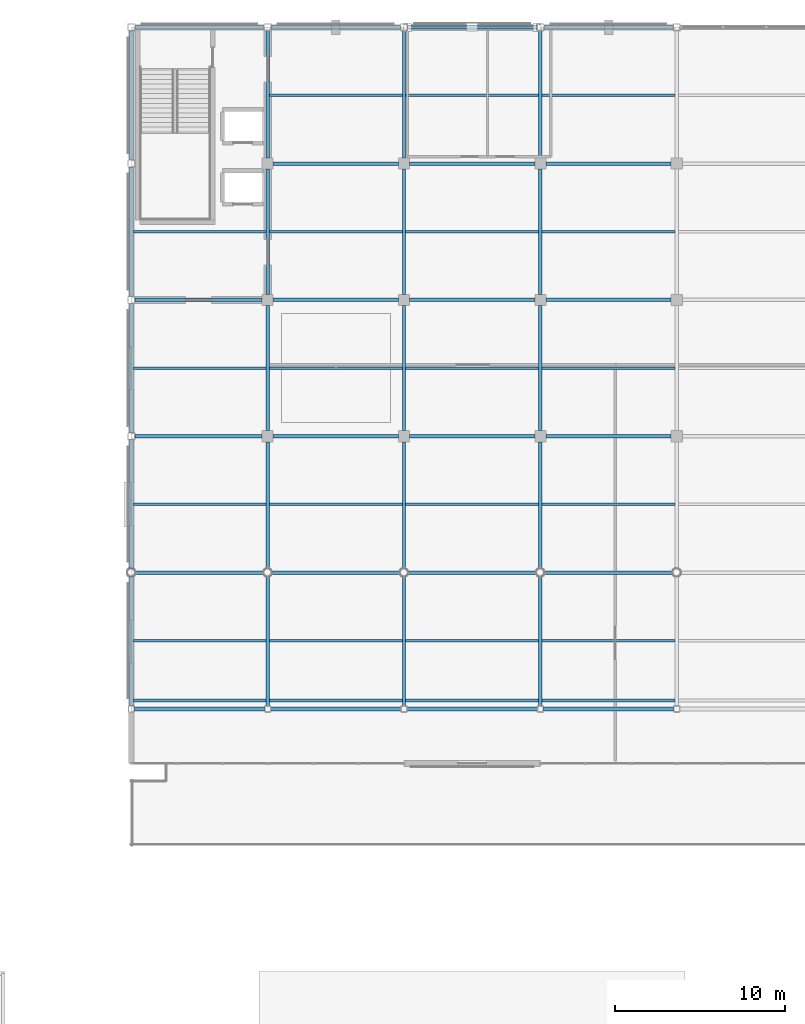
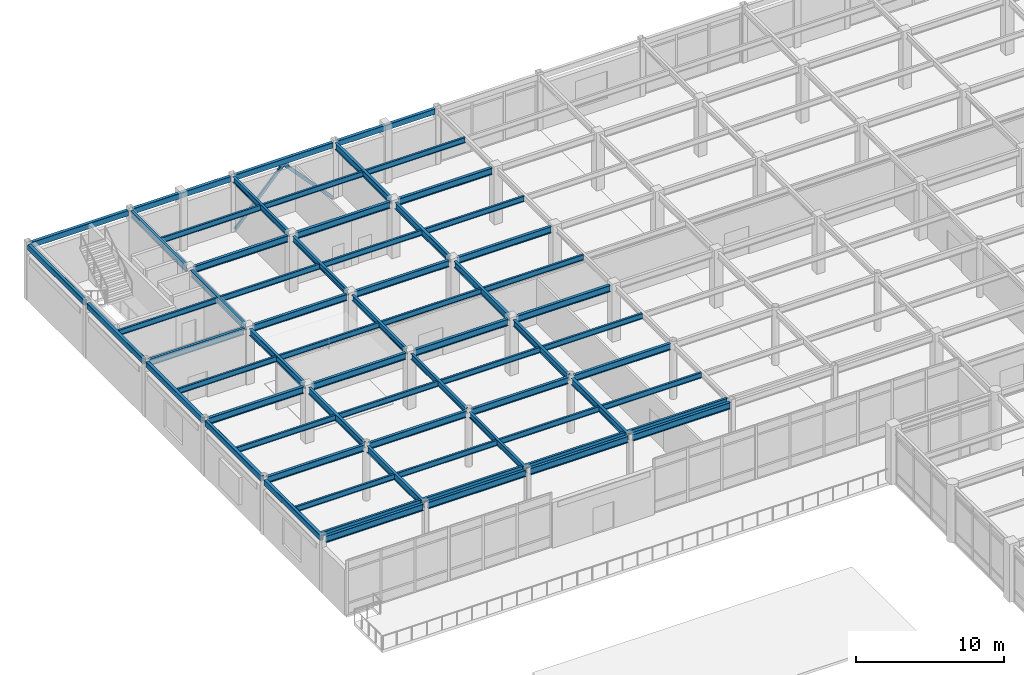
# One storey, part 49 of 117: 66 beams, 2 members.
"""IFC4 building model written with IfcOpenShell, lengths in metres."""

from ifc_helpers import new_model, si_unit, direction, frame, origin, origin_2d, place, context, subcontext, project, spatial, hollow_rectangle, i_section, extrude, material, material_profile, profile_set, type_object, element, save


model = new_model("IFC4")

# Units and contexts
model_context = context("Model", 3, precision=1e-05, world=origin(), true_north=direction((0.0, 1.0)))
body_context = subcontext(model_context, "Body", "Model", "MODEL_VIEW")
ifc_project = project(units=[si_unit("LENGTHUNIT", "METRE"), si_unit("AREAUNIT", "SQUARE_METRE"), si_unit("VOLUMEUNIT", "CUBIC_METRE"), si_unit("PLANEANGLEUNIT", "RADIAN"), si_unit("MASSUNIT", "GRAM", prefix="KILO")], contexts=[model_context])

# Site, building, storey
site_placement = place(None, origin())
site = spatial("IfcSite", under=ifc_project, at=site_placement, CompositionType="ELEMENT")
building_placement = place(site_placement, origin())
building = spatial("IfcBuilding", under=site, at=building_placement, Name="Solmirada Galleria", CompositionType="ELEMENT")
storey_placement = place(building_placement, frame((0.0, 0.0, 5.60009765625)))
storey = spatial("IfcBuildingStorey", under=building, at=storey_placement, Name="L01", CompositionType="ELEMENT", Elevation=5.60009765625)

# Beams
ifc_material_1 = material(Name="Steel S355 / ASTM A992 Grade 50", Category="steel")
ifc_material_profile_1 = material_profile(ifc_material_1, i_section(OverallWidth=0.194091796875, OverallDepth=0.468994140625, WebThickness=0.0126953125, FlangeThickness=0.0205078125, FilletRadius=0.013916015625, at=origin_2d()), Name="W18X71")
ifc_profile_set_1 = profile_set([ifc_material_profile_1], Name="Steel S355 / ASTM A992 Grade 50")
beam_type_1 = type_object("IfcBeamType", Name="BM-GIRD-W18B", PredefinedType="BEAM", material=ifc_profile_set_1)
beam_1_placement = place(storey_placement, frame((56.0, 80.177978515625, 4.325439453125), z_axis=(0.0, 1.0, 0.0), x_axis=(-1.0, 0.0, 0.0)))
element("IfcBeam", 1, at=beam_1_placement, inside=storey, type_object=beam_type_1, Name="Primary girder L02 Y(56, 80..88)", PredefinedType="BEAM", context=body_context, shape_type="SweptSolid", body=[
    extrude(i_section(OverallWidth=0.194091796875, OverallDepth=0.468994140625, WebThickness=0.0126953125, FlangeThickness=0.0205078125, FilletRadius=0.013916015625, at=origin_2d()), origin(), (0.0, 0.0, 1.0), 7.608642578125),
])
beam_2_placement = place(storey_placement, frame((56.0, 88.21337890625, 4.365478515625), z_axis=(0.0, 1.0, 0.0), x_axis=(-1.0, 0.0, 0.0)))
element("IfcBeam", 2, at=beam_2_placement, inside=storey, type_object=beam_type_1, Name="Primary girder L02 Y(56, 88..96)", PredefinedType="BEAM", context=body_context, shape_type="SweptSolid", body=[
    extrude(i_section(OverallWidth=0.194091796875, OverallDepth=0.468994140625, WebThickness=0.0126953125, FlangeThickness=0.0205078125, FilletRadius=0.013916015625, at=origin_2d()), origin(), (0.0, 0.0, 1.0), 7.461669921875),
])
for number, where, z_axis, x_axis, name in (
    (3, (56.0, 96.324951171875, 4.365478515625), (0.0, 1.0, 0.0), (-1.0, 0.0, 0.0), "Primary girder L02 Y(56, 96..104)"),
    (4, (56.0, 104.324951171875, 4.365478515625), (0.0, 1.0, 0.0), (-1.0, 0.0, 0.0), "Primary girder L02 Y(56, 104..112)"),
):
    element("IfcBeam", number, at=place(storey_placement, frame(where, z_axis=z_axis, x_axis=x_axis)), inside=storey, type_object=beam_type_1, Name=name, PredefinedType="BEAM", context=body_context, shape_type="SweptSolid", body=[
        extrude(i_section(OverallWidth=0.194091796875, OverallDepth=0.468994140625, WebThickness=0.0126953125, FlangeThickness=0.0205078125, FilletRadius=0.013916015625, at=origin_2d()), origin(), (0.0, 0.0, 1.0), 7.35009765625),
    ])
beam_3_placement = place(storey_placement, frame((56.0, 112.324951171875, 4.365478515625), z_axis=(0.0, 1.0, 0.0), x_axis=(-1.0, 0.0, 0.0)))
element("IfcBeam", 5, at=beam_3_placement, inside=storey, type_object=beam_type_1, Name="Primary girder L02 Y(56, 112..120)", PredefinedType="BEAM", context=body_context, shape_type="SweptSolid", body=[
    extrude(i_section(OverallWidth=0.194091796875, OverallDepth=0.468994140625, WebThickness=0.0126953125, FlangeThickness=0.0205078125, FilletRadius=0.013916015625, at=origin_2d()), origin(), (0.0, 0.0, 1.0), 7.47216796875),
])
ifc_material_profile_2 = material_profile(ifc_material_1, i_section(OverallWidth=0.214111328125, OverallDepth=0.549072265625, WebThickness=0.0146484375, FlangeThickness=0.023681640625, FilletRadius=0.014892578125, at=origin_2d()), Name="W21X93")
ifc_profile_set_2 = profile_set([ifc_material_profile_2], Name="Steel S355 / ASTM A992 Grade 50")
beam_type_2 = type_object("IfcBeamType", Name="BM-GIRD-W21A", PredefinedType="BEAM", material=ifc_profile_set_2)
beam_4_placement = place(storey_placement, frame((40.177978515625, 80.0, 4.285400390625), z_axis=(1.0, 0.0, 0.0), x_axis=(0.0, 1.0, 0.0)))
element("IfcBeam", 6, at=beam_4_placement, inside=storey, type_object=beam_type_2, Name="Primary beam L02 X(40..48, 80)", PredefinedType="BEAM", context=body_context, shape_type="SweptSolid", body=[
    extrude(i_section(OverallWidth=0.214111328125, OverallDepth=0.549072265625, WebThickness=0.0146484375, FlangeThickness=0.023681640625, FilletRadius=0.014892578125, at=origin_2d()), origin(), (0.0, 0.0, 1.0), 7.64404296875),
])
beam_5_placement = place(storey_placement, frame((40.202880859375, 96.0, 4.325439453125), z_axis=(1.0, 0.0, 0.0), x_axis=(0.0, 1.0, 0.0)))
element("IfcBeam", 7, at=beam_5_placement, inside=storey, type_object=beam_type_2, Name="Primary beam L02 X(40..48, 96)", PredefinedType="BEAM", context=body_context, shape_type="SweptSolid", body=[
    extrude(i_section(OverallWidth=0.214111328125, OverallDepth=0.549072265625, WebThickness=0.0146484375, FlangeThickness=0.023681640625, FilletRadius=0.014892578125, at=origin_2d()), origin(), (0.0, 0.0, 1.0), 7.47216796875),
])
beam_6_placement = place(storey_placement, frame((48.177978515625, 80.0, 4.285400390625), z_axis=(1.0, 0.0, 0.0), x_axis=(0.0, 1.0, 0.0)))
element("IfcBeam", 8, at=beam_6_placement, inside=storey, type_object=beam_type_2, Name="Primary beam L02 X(48..56, 80)", PredefinedType="BEAM", context=body_context, shape_type="SweptSolid", body=[
    extrude(i_section(OverallWidth=0.214111328125, OverallDepth=0.549072265625, WebThickness=0.0146484375, FlangeThickness=0.023681640625, FilletRadius=0.014892578125, at=origin_2d()), origin(), (0.0, 0.0, 1.0), 7.64404296875),
])
for number, where, z_axis, x_axis, name in (
    (9, (48.324951171875, 96.0, 4.325439453125), (1.0, 0.0, 0.0), (0.0, 1.0, 0.0), "Primary beam L02 X(48..56, 96)"),
    (10, (48.324951171875, 112.0, 4.325439453125), (1.0, 0.0, 0.0), (0.0, 1.0, 0.0), "Primary beam L02 X(48..56, 112)"),
):
    element("IfcBeam", number, at=place(storey_placement, frame(where, z_axis=z_axis, x_axis=x_axis)), inside=storey, type_object=beam_type_2, Name=name, PredefinedType="BEAM", context=body_context, shape_type="SweptSolid", body=[
        extrude(i_section(OverallWidth=0.214111328125, OverallDepth=0.549072265625, WebThickness=0.0146484375, FlangeThickness=0.023681640625, FilletRadius=0.014892578125, at=origin_2d()), origin(), (0.0, 0.0, 1.0), 7.35009765625),
    ])
beam_7_placement = place(storey_placement, frame((56.177978515625, 80.0, 4.285400390625), z_axis=(1.0, 0.0, 0.0), x_axis=(0.0, 1.0, 0.0)))
element("IfcBeam", 11, at=beam_7_placement, inside=storey, type_object=beam_type_2, Name="Primary beam L02 X(56..64, 80)", PredefinedType="BEAM", context=body_context, shape_type="SweptSolid", body=[
    extrude(i_section(OverallWidth=0.214111328125, OverallDepth=0.549072265625, WebThickness=0.0146484375, FlangeThickness=0.023681640625, FilletRadius=0.014892578125, at=origin_2d()), origin(), (0.0, 0.0, 1.0), 7.64404296875),
])
for number, where, z_axis, x_axis, name in (
    (12, (56.324951171875, 96.0, 4.325439453125), (1.0, 0.0, 0.0), (0.0, 1.0, 0.0), "Primary beam L02 X(56..64, 96)"),
    (13, (56.324951171875, 112.0, 4.325439453125), (1.0, 0.0, 0.0), (0.0, 1.0, 0.0), "Primary beam L02 X(56..64, 112)"),
):
    element("IfcBeam", number, at=place(storey_placement, frame(where, z_axis=z_axis, x_axis=x_axis)), inside=storey, type_object=beam_type_2, Name=name, PredefinedType="BEAM", context=body_context, shape_type="SweptSolid", body=[
        extrude(i_section(OverallWidth=0.214111328125, OverallDepth=0.549072265625, WebThickness=0.0146484375, FlangeThickness=0.023681640625, FilletRadius=0.014892578125, at=origin_2d()), origin(), (0.0, 0.0, 1.0), 7.35009765625),
    ])
beam_8_placement = place(storey_placement, frame((64.177978515625, 80.0, 4.285400390625), z_axis=(1.0, 0.0, 0.0), x_axis=(0.0, 1.0, 0.0)))
element("IfcBeam", 14, at=beam_8_placement, inside=storey, type_object=beam_type_2, Name="Primary beam L02 X(64..72, 80)", PredefinedType="BEAM", context=body_context, shape_type="SweptSolid", body=[
    extrude(i_section(OverallWidth=0.214111328125, OverallDepth=0.549072265625, WebThickness=0.0146484375, FlangeThickness=0.023681640625, FilletRadius=0.014892578125, at=origin_2d()), origin(), (0.0, 0.0, 1.0), 7.64404296875),
])
for number, where, z_axis, x_axis, name in (
    (15, (64.324951171875, 96.0, 4.325439453125), (1.0, 0.0, 0.0), (0.0, 1.0, 0.0), "Primary beam L02 X(64..72, 96)"),
    (16, (64.324951171875, 112.0, 4.325439453125), (1.0, 0.0, 0.0), (0.0, 1.0, 0.0), "Primary beam L02 X(64..72, 112)"),
):
    element("IfcBeam", number, at=place(storey_placement, frame(where, z_axis=z_axis, x_axis=x_axis)), inside=storey, type_object=beam_type_2, Name=name, PredefinedType="BEAM", context=body_context, shape_type="SweptSolid", body=[
        extrude(i_section(OverallWidth=0.214111328125, OverallDepth=0.549072265625, WebThickness=0.0146484375, FlangeThickness=0.023681640625, FilletRadius=0.014892578125, at=origin_2d()), origin(), (0.0, 0.0, 1.0), 7.35009765625),
    ])
ifc_material_profile_3 = material_profile(ifc_material_1, i_section(OverallWidth=0.2099609375, OverallDepth=0.537109375, WebThickness=0.010986328125, FlangeThickness=0.017333984375, FilletRadius=0.014892578125, at=origin_2d()), Name="W21X68")
ifc_profile_set_3 = profile_set([ifc_material_profile_3], Name="Steel S355 / ASTM A992 Grade 50")
beam_type_3 = type_object("IfcBeamType", Name="BM-GIRD-W21B", PredefinedType="BEAM", material=ifc_profile_set_3)
beam_9_placement = place(storey_placement, frame((40.21337890625, 88.0, 4.331298828125), z_axis=(1.0, 0.0, 0.0), x_axis=(0.0, 1.0, 0.0)))
element("IfcBeam", 17, at=beam_9_placement, inside=storey, type_object=beam_type_3, Name="Primary beam L02 X(40..48, 88)", PredefinedType="BEAM", context=body_context, shape_type="SweptSolid", body=[
    extrude(i_section(OverallWidth=0.2099609375, OverallDepth=0.537109375, WebThickness=0.010986328125, FlangeThickness=0.017333984375, FilletRadius=0.014892578125, at=origin_2d()), origin(), (0.0, 0.0, 1.0), 7.5732421875),
])
beam_10_placement = place(storey_placement, frame((40.202880859375, 104.0, 4.331298828125), z_axis=(1.0, 0.0, 0.0), x_axis=(0.0, 1.0, 0.0)))
element("IfcBeam", 18, at=beam_10_placement, inside=storey, type_object=beam_type_3, Name="Primary beam L02 X(40..48, 104)", PredefinedType="BEAM", context=body_context, shape_type="SweptSolid", body=[
    extrude(i_section(OverallWidth=0.2099609375, OverallDepth=0.537109375, WebThickness=0.010986328125, FlangeThickness=0.017333984375, FilletRadius=0.014892578125, at=origin_2d()), origin(), (0.0, 0.0, 1.0), 7.47216796875),
])
beam_11_placement = place(storey_placement, frame((48.21337890625, 88.0, 4.331298828125), z_axis=(1.0, 0.0, 0.0), x_axis=(0.0, 1.0, 0.0)))
element("IfcBeam", 19, at=beam_11_placement, inside=storey, type_object=beam_type_3, Name="Primary beam L02 X(48..56, 88)", PredefinedType="BEAM", context=body_context, shape_type="SweptSolid", body=[
    extrude(i_section(OverallWidth=0.2099609375, OverallDepth=0.537109375, WebThickness=0.010986328125, FlangeThickness=0.017333984375, FilletRadius=0.014892578125, at=origin_2d()), origin(), (0.0, 0.0, 1.0), 7.5732421875),
])
beam_12_placement = place(storey_placement, frame((48.324951171875, 104.0, 4.331298828125), z_axis=(1.0, 0.0, 0.0), x_axis=(0.0, 1.0, 0.0)))
element("IfcBeam", 20, at=beam_12_placement, inside=storey, type_object=beam_type_3, Name="Primary beam L02 X(48..56, 104)", PredefinedType="BEAM", context=body_context, shape_type="SweptSolid", body=[
    extrude(i_section(OverallWidth=0.2099609375, OverallDepth=0.537109375, WebThickness=0.010986328125, FlangeThickness=0.017333984375, FilletRadius=0.014892578125, at=origin_2d()), origin(), (0.0, 0.0, 1.0), 7.35009765625),
])
beam_13_placement = place(storey_placement, frame((56.21337890625, 88.0, 4.331298828125), z_axis=(1.0, 0.0, 0.0), x_axis=(0.0, 1.0, 0.0)))
element("IfcBeam", 21, at=beam_13_placement, inside=storey, type_object=beam_type_3, Name="Primary beam L02 X(56..64, 88)", PredefinedType="BEAM", context=body_context, shape_type="SweptSolid", body=[
    extrude(i_section(OverallWidth=0.2099609375, OverallDepth=0.537109375, WebThickness=0.010986328125, FlangeThickness=0.017333984375, FilletRadius=0.014892578125, at=origin_2d()), origin(), (0.0, 0.0, 1.0), 7.5732421875),
])
beam_14_placement = place(storey_placement, frame((56.324951171875, 104.0, 4.331298828125), z_axis=(1.0, 0.0, 0.0), x_axis=(0.0, 1.0, 0.0)))
element("IfcBeam", 22, at=beam_14_placement, inside=storey, type_object=beam_type_3, Name="Primary beam L02 X(56..64, 104)", PredefinedType="BEAM", context=body_context, shape_type="SweptSolid", body=[
    extrude(i_section(OverallWidth=0.2099609375, OverallDepth=0.537109375, WebThickness=0.010986328125, FlangeThickness=0.017333984375, FilletRadius=0.014892578125, at=origin_2d()), origin(), (0.0, 0.0, 1.0), 7.35009765625),
])
beam_15_placement = place(storey_placement, frame((64.21337890625, 88.0, 4.331298828125), z_axis=(1.0, 0.0, 0.0), x_axis=(0.0, 1.0, 0.0)))
element("IfcBeam", 23, at=beam_15_placement, inside=storey, type_object=beam_type_3, Name="Primary beam L02 X(64..72, 88)", PredefinedType="BEAM", context=body_context, shape_type="SweptSolid", body=[
    extrude(i_section(OverallWidth=0.2099609375, OverallDepth=0.537109375, WebThickness=0.010986328125, FlangeThickness=0.017333984375, FilletRadius=0.014892578125, at=origin_2d()), origin(), (0.0, 0.0, 1.0), 7.5732421875),
])
beam_16_placement = place(storey_placement, frame((64.324951171875, 104.0, 4.331298828125), z_axis=(1.0, 0.0, 0.0), x_axis=(0.0, 1.0, 0.0)))
element("IfcBeam", 24, at=beam_16_placement, inside=storey, type_object=beam_type_3, Name="Primary beam L02 X(64..72, 104)", PredefinedType="BEAM", context=body_context, shape_type="SweptSolid", body=[
    extrude(i_section(OverallWidth=0.2099609375, OverallDepth=0.537109375, WebThickness=0.010986328125, FlangeThickness=0.017333984375, FilletRadius=0.014892578125, at=origin_2d()), origin(), (0.0, 0.0, 1.0), 7.35009765625),
])
beam_17_placement = place(storey_placement, frame((48.0, 80.177978515625, 4.29150390625), z_axis=(0.0, 1.0, 0.0), x_axis=(-1.0, 0.0, 0.0)))
element("IfcBeam", 25, at=beam_17_placement, inside=storey, type_object=beam_type_3, Name="Primary girder L02 Y(48, 80..88)", PredefinedType="BEAM", context=body_context, shape_type="SweptSolid", body=[
    extrude(i_section(OverallWidth=0.2099609375, OverallDepth=0.537109375, WebThickness=0.010986328125, FlangeThickness=0.017333984375, FilletRadius=0.014892578125, at=origin_2d()), origin(), (0.0, 0.0, 1.0), 7.608642578125),
])
beam_18_placement = place(storey_placement, frame((48.0, 88.21337890625, 4.331298828125), z_axis=(0.0, 1.0, 0.0), x_axis=(-1.0, 0.0, 0.0)))
element("IfcBeam", 26, at=beam_18_placement, inside=storey, type_object=beam_type_3, Name="Primary girder L02 Y(48, 88..96)", PredefinedType="BEAM", context=body_context, shape_type="SweptSolid", body=[
    extrude(i_section(OverallWidth=0.2099609375, OverallDepth=0.537109375, WebThickness=0.010986328125, FlangeThickness=0.017333984375, FilletRadius=0.014892578125, at=origin_2d()), origin(), (0.0, 0.0, 1.0), 7.461669921875),
])
for number, where, z_axis, x_axis, name in (
    (27, (48.0, 96.324951171875, 4.331298828125), (0.0, 1.0, 0.0), (-1.0, 0.0, 0.0), "Primary girder L02 Y(48, 96..104)"),
    (28, (48.0, 104.324951171875, 4.331298828125), (0.0, 1.0, 0.0), (-1.0, 0.0, 0.0), "Primary girder L02 Y(48, 104..112)"),
):
    element("IfcBeam", number, at=place(storey_placement, frame(where, z_axis=z_axis, x_axis=x_axis)), inside=storey, type_object=beam_type_3, Name=name, PredefinedType="BEAM", context=body_context, shape_type="SweptSolid", body=[
        extrude(i_section(OverallWidth=0.2099609375, OverallDepth=0.537109375, WebThickness=0.010986328125, FlangeThickness=0.017333984375, FilletRadius=0.014892578125, at=origin_2d()), origin(), (0.0, 0.0, 1.0), 7.35009765625),
    ])
beam_19_placement = place(storey_placement, frame((48.0, 112.324951171875, 4.331298828125), z_axis=(0.0, 1.0, 0.0), x_axis=(-1.0, 0.0, 0.0)))
element("IfcBeam", 29, at=beam_19_placement, inside=storey, type_object=beam_type_3, Name="Primary girder L02 Y(48, 112..120)", PredefinedType="BEAM", context=body_context, shape_type="SweptSolid", body=[
    extrude(i_section(OverallWidth=0.2099609375, OverallDepth=0.537109375, WebThickness=0.010986328125, FlangeThickness=0.017333984375, FilletRadius=0.014892578125, at=origin_2d()), origin(), (0.0, 0.0, 1.0), 7.47216796875),
])
beam_20_placement = place(storey_placement, frame((64.0, 80.177978515625, 4.29150390625), z_axis=(0.0, 1.0, 0.0), x_axis=(-1.0, 0.0, 0.0)))
element("IfcBeam", 30, at=beam_20_placement, inside=storey, type_object=beam_type_3, Name="Primary girder L02 Y(64, 80..88)", PredefinedType="BEAM", context=body_context, shape_type="SweptSolid", body=[
    extrude(i_section(OverallWidth=0.2099609375, OverallDepth=0.537109375, WebThickness=0.010986328125, FlangeThickness=0.017333984375, FilletRadius=0.014892578125, at=origin_2d()), origin(), (0.0, 0.0, 1.0), 7.608642578125),
])
beam_21_placement = place(storey_placement, frame((64.0, 88.21337890625, 4.331298828125), z_axis=(0.0, 1.0, 0.0), x_axis=(-1.0, 0.0, 0.0)))
element("IfcBeam", 31, at=beam_21_placement, inside=storey, type_object=beam_type_3, Name="Primary girder L02 Y(64, 88..96)", PredefinedType="BEAM", context=body_context, shape_type="SweptSolid", body=[
    extrude(i_section(OverallWidth=0.2099609375, OverallDepth=0.537109375, WebThickness=0.010986328125, FlangeThickness=0.017333984375, FilletRadius=0.014892578125, at=origin_2d()), origin(), (0.0, 0.0, 1.0), 7.461669921875),
])
for number, where, z_axis, x_axis, name in (
    (32, (64.0, 96.324951171875, 4.331298828125), (0.0, 1.0, 0.0), (-1.0, 0.0, 0.0), "Primary girder L02 Y(64, 96..104)"),
    (33, (64.0, 104.324951171875, 4.331298828125), (0.0, 1.0, 0.0), (-1.0, 0.0, 0.0), "Primary girder L02 Y(64, 104..112)"),
):
    element("IfcBeam", number, at=place(storey_placement, frame(where, z_axis=z_axis, x_axis=x_axis)), inside=storey, type_object=beam_type_3, Name=name, PredefinedType="BEAM", context=body_context, shape_type="SweptSolid", body=[
        extrude(i_section(OverallWidth=0.2099609375, OverallDepth=0.537109375, WebThickness=0.010986328125, FlangeThickness=0.017333984375, FilletRadius=0.014892578125, at=origin_2d()), origin(), (0.0, 0.0, 1.0), 7.35009765625),
    ])
beam_22_placement = place(storey_placement, frame((64.0, 112.324951171875, 4.331298828125), z_axis=(0.0, 1.0, 0.0), x_axis=(-1.0, 0.0, 0.0)))
element("IfcBeam", 34, at=beam_22_placement, inside=storey, type_object=beam_type_3, Name="Primary girder L02 Y(64, 112..120)", PredefinedType="BEAM", context=body_context, shape_type="SweptSolid", body=[
    extrude(i_section(OverallWidth=0.2099609375, OverallDepth=0.537109375, WebThickness=0.010986328125, FlangeThickness=0.017333984375, FilletRadius=0.014892578125, at=origin_2d()), origin(), (0.0, 0.0, 1.0), 7.47216796875),
])
ifc_material_profile_4 = material_profile(ifc_material_1, i_section(OverallWidth=0.1708984375, OverallDepth=0.35205078125, WebThickness=0.0068359375, FlangeThickness=0.009765625, FilletRadius=0.010986328125, at=origin_2d()), Name="W14X30")
ifc_profile_set_4 = profile_set([ifc_material_profile_4], Name="Steel S355 / ASTM A992 Grade 50")
beam_type_4 = type_object("IfcBeamType", Name="BM-JST-W14B", PredefinedType="JOIST", material=ifc_profile_set_4)
beam_23_placement = place(storey_placement, frame((40.126953125, 80.5, 4.3837890625), z_axis=(1.0, 0.0, 0.0), x_axis=(0.0, 1.0, 0.0)))
element("IfcBeam", 35, at=beam_23_placement, inside=storey, type_object=beam_type_4, Name="Terrace deck joist L02-TERR-NW X=40..48 (2)", PredefinedType="JOIST", context=body_context, shape_type="SweptSolid", body=[
    extrude(i_section(OverallWidth=0.1708984375, OverallDepth=0.35205078125, WebThickness=0.0068359375, FlangeThickness=0.009765625, FilletRadius=0.010986328125, at=origin_2d()), origin(), (0.0, 0.0, 1.0), 7.76806640625),
])
for number, where, z_axis, x_axis, name in (
    (36, (48.10498046875, 80.5, 4.3837890625), (1.0, 0.0, 0.0), (0.0, 1.0, 0.0), "Terrace deck joist L02-TERR-NW X=48..56 (2)"),
    (37, (56.096923828125, 80.5, 4.3837890625), (1.0, 0.0, 0.0), (0.0, 1.0, 0.0), "Terrace deck joist L02-TERR-NW X=56..64 (2)"),
    (38, (64.10498046875, 80.5, 4.3837890625), (1.0, 0.0, 0.0), (0.0, 1.0, 0.0), "Terrace deck joist L02-TERR-NW X=64..72 (2)"),
):
    element("IfcBeam", number, at=place(storey_placement, frame(where, z_axis=z_axis, x_axis=x_axis)), inside=storey, type_object=beam_type_4, Name=name, PredefinedType="JOIST", context=body_context, shape_type="SweptSolid", body=[
        extrude(i_section(OverallWidth=0.1708984375, OverallDepth=0.35205078125, WebThickness=0.0068359375, FlangeThickness=0.009765625, FilletRadius=0.010986328125, at=origin_2d()), origin(), (0.0, 0.0, 1.0), 7.798095703125),
    ])
ifc_material_profile_5 = material_profile(ifc_material_1, i_section(OverallWidth=0.152099609375, OverallDepth=0.449951171875, WebThickness=0.007568359375, FlangeThickness=0.0107421875, FilletRadius=0.011962890625, at=origin_2d()), Name="W18X35")
ifc_profile_set_5 = profile_set([ifc_material_profile_5], Name="Steel S355 / ASTM A992 Grade 50")
beam_type_5 = type_object("IfcBeamType", Name="BM-JST-W18B", PredefinedType="JOIST", material=ifc_profile_set_5)
for number, where, z_axis, x_axis, name in (
    (39, (40.126953125, 84.0, 4.3349609375), (1.0, 0.0, 0.0), (0.0, 1.0, 0.0), "Composite floor joist L02 (40..48, 84.0)"),
    (40, (40.126953125, 92.0, 4.375), (1.0, 0.0, 0.0), (0.0, 1.0, 0.0), "Composite floor joist L02 (40..48, 92.0)"),
    (41, (40.126953125, 100.0, 4.375), (1.0, 0.0, 0.0), (0.0, 1.0, 0.0), "Composite floor joist L02 (40..48, 100.0)"),
    (42, (40.126953125, 108.0, 4.375), (1.0, 0.0, 0.0), (0.0, 1.0, 0.0), "Composite floor joist L02 (40..48, 108.0)"),
):
    element("IfcBeam", number, at=place(storey_placement, frame(where, z_axis=z_axis, x_axis=x_axis)), inside=storey, type_object=beam_type_5, Name=name, PredefinedType="JOIST", context=body_context, shape_type="SweptSolid", body=[
        extrude(i_section(OverallWidth=0.152099609375, OverallDepth=0.449951171875, WebThickness=0.007568359375, FlangeThickness=0.0107421875, FilletRadius=0.011962890625, at=origin_2d()), origin(), (0.0, 0.0, 1.0), 7.76806640625),
    ])
for number, where, z_axis, x_axis, name in (
    (43, (48.10498046875, 84.0, 4.3349609375), (1.0, 0.0, 0.0), (0.0, 1.0, 0.0), "Composite floor joist L02 (48..56, 84.0)"),
    (44, (48.10498046875, 92.0, 4.375), (1.0, 0.0, 0.0), (0.0, 1.0, 0.0), "Composite floor joist L02 (48..56, 92.0)"),
    (45, (48.10498046875, 100.0, 4.375), (1.0, 0.0, 0.0), (0.0, 1.0, 0.0), "Composite floor joist L02 (48..56, 100.0)"),
    (46, (48.10498046875, 108.0, 4.375), (1.0, 0.0, 0.0), (0.0, 1.0, 0.0), "Composite floor joist L02 (48..56, 108.0)"),
    (47, (48.10498046875, 116.0, 4.375), (1.0, 0.0, 0.0), (0.0, 1.0, 0.0), "Composite floor joist L02 (48..56, 116.0)"),
    (48, (56.096923828125, 84.0, 4.3349609375), (1.0, 0.0, 0.0), (0.0, 1.0, 0.0), "Composite floor joist L02 (56..64, 84.0)"),
    (49, (56.096923828125, 92.0, 4.375), (1.0, 0.0, 0.0), (0.0, 1.0, 0.0), "Composite floor joist L02 (56..64, 92.0)"),
    (50, (56.096923828125, 100.0, 4.375), (1.0, 0.0, 0.0), (0.0, 1.0, 0.0), "Composite floor joist L02 (56..64, 100.0)"),
    (51, (56.096923828125, 108.0, 4.375), (1.0, 0.0, 0.0), (0.0, 1.0, 0.0), "Composite floor joist L02 (56..64, 108.0)"),
    (52, (56.096923828125, 116.0, 4.375), (1.0, 0.0, 0.0), (0.0, 1.0, 0.0), "Composite floor joist L02 (56..64, 116.0)"),
    (53, (64.10498046875, 84.0, 4.3349609375), (1.0, 0.0, 0.0), (0.0, 1.0, 0.0), "Composite floor joist L02 (64..72, 84.0)"),
    (54, (64.10498046875, 92.0, 4.375), (1.0, 0.0, 0.0), (0.0, 1.0, 0.0), "Composite floor joist L02 (64..72, 92.0)"),
    (55, (64.10498046875, 100.0, 4.375), (1.0, 0.0, 0.0), (0.0, 1.0, 0.0), "Composite floor joist L02 (64..72, 100.0)"),
    (56, (64.10498046875, 108.0, 4.375), (1.0, 0.0, 0.0), (0.0, 1.0, 0.0), "Composite floor joist L02 (64..72, 108.0)"),
    (57, (64.10498046875, 116.0, 4.375), (1.0, 0.0, 0.0), (0.0, 1.0, 0.0), "Composite floor joist L02 (64..72, 116.0)"),
):
    element("IfcBeam", number, at=place(storey_placement, frame(where, z_axis=z_axis, x_axis=x_axis)), inside=storey, type_object=beam_type_5, Name=name, PredefinedType="JOIST", context=body_context, shape_type="SweptSolid", body=[
        extrude(i_section(OverallWidth=0.152099609375, OverallDepth=0.449951171875, WebThickness=0.007568359375, FlangeThickness=0.0107421875, FilletRadius=0.011962890625, at=origin_2d()), origin(), (0.0, 0.0, 1.0), 7.798095703125),
    ])
ifc_material_2 = material(Name="Steel S355 / ASTM A500 Grade C", Category="steel")
ifc_material_profile_6 = material_profile(ifc_material_2, hollow_rectangle(XDim=0.25390625, YDim=0.45703125, WallThickness=0.01171875, InnerFilletRadius=0.01171875, OuterFilletRadius=0.023681640625, at=origin_2d()), Name="HSS18X10X1/2")
ifc_profile_set_6 = profile_set([ifc_material_profile_6], Name="Steel S355 / ASTM A500 Grade C")
beam_type_6 = type_object("IfcBeamType", Name="BM-SPAND-W18", PredefinedType="SPANDREL", material=ifc_profile_set_6)
for number, where, z_axis, x_axis, name in (
    (58, (40.202880859375, 120.0, 4.371337890625), (1.0, 0.0, 0.0), (0.0, 1.0, 0.0), "Primary beam L02 X(40..48, 120)"),
    (59, (48.202880859375, 120.0, 4.371337890625), (1.0, 0.0, 0.0), (0.0, 1.0, 0.0), "Primary beam L02 X(48..56, 120)"),
    (60, (56.202880859375, 120.0, 4.371337890625), (1.0, 0.0, 0.0), (0.0, 1.0, 0.0), "Primary beam L02 X(56..64, 120)"),
    (61, (64.202880859375, 120.0, 4.371337890625), (1.0, 0.0, 0.0), (0.0, 1.0, 0.0), "Primary beam L02 X(64..72, 120)"),
):
    element("IfcBeam", number, at=place(storey_placement, frame(where, z_axis=z_axis, x_axis=x_axis)), inside=storey, type_object=beam_type_6, Name=name, PredefinedType="SPANDREL", context=body_context, shape_type="SweptSolid", body=[
        extrude(hollow_rectangle(XDim=0.25390625, YDim=0.45703125, WallThickness=0.01171875, InnerFilletRadius=0.01171875, OuterFilletRadius=0.023681640625, at=origin_2d()), origin(), (0.0, 0.0, 1.0), 7.59423828125),
    ])
beam_24_placement = place(storey_placement, frame((40.0, 80.177978515625, 4.331298828125), z_axis=(0.0, 1.0, 0.0), x_axis=(-1.0, 0.0, 0.0)))
element("IfcBeam", 62, at=beam_24_placement, inside=storey, type_object=beam_type_6, Name="Primary girder L02 Y(40, 80..88)", PredefinedType="SPANDREL", context=body_context, shape_type="SweptSolid", body=[
    extrude(hollow_rectangle(XDim=0.25390625, YDim=0.45703125, WallThickness=0.01171875, InnerFilletRadius=0.01171875, OuterFilletRadius=0.023681640625, at=origin_2d()), origin(), (0.0, 0.0, 1.0), 7.608642578125),
])
beam_25_placement = place(storey_placement, frame((40.0, 88.21337890625, 4.371337890625), z_axis=(0.0, 1.0, 0.0), x_axis=(-1.0, 0.0, 0.0)))
element("IfcBeam", 63, at=beam_25_placement, inside=storey, type_object=beam_type_6, Name="Primary girder L02 Y(40, 88..96)", PredefinedType="SPANDREL", context=body_context, shape_type="SweptSolid", body=[
    extrude(hollow_rectangle(XDim=0.25390625, YDim=0.45703125, WallThickness=0.01171875, InnerFilletRadius=0.01171875, OuterFilletRadius=0.023681640625, at=origin_2d()), origin(), (0.0, 0.0, 1.0), 7.583740234375),
])
for number, where, z_axis, x_axis, name in (
    (64, (40.0, 96.202880859375, 4.371337890625), (0.0, 1.0, 0.0), (-1.0, 0.0, 0.0), "Primary girder L02 Y(40, 96..104)"),
    (65, (40.0, 104.202880859375, 4.371337890625), (0.0, 1.0, 0.0), (-1.0, 0.0, 0.0), "Primary girder L02 Y(40, 104..112)"),
    (66, (40.0, 112.202880859375, 4.371337890625), (0.0, 1.0, 0.0), (-1.0, 0.0, 0.0), "Primary girder L02 Y(40, 112..120)"),
):
    element("IfcBeam", number, at=place(storey_placement, frame(where, z_axis=z_axis, x_axis=x_axis)), inside=storey, type_object=beam_type_6, Name=name, PredefinedType="SPANDREL", context=body_context, shape_type="SweptSolid", body=[
        extrude(hollow_rectangle(XDim=0.25390625, YDim=0.45703125, WallThickness=0.01171875, InnerFilletRadius=0.01171875, OuterFilletRadius=0.023681640625, at=origin_2d()), origin(), (0.0, 0.0, 1.0), 7.59423828125),
    ])

# Members
ifc_material_profile_7 = material_profile(ifc_material_2, hollow_rectangle(XDim=0.152099609375, YDim=0.25390625, WallThickness=0.0087890625, InnerFilletRadius=0.0087890625, OuterFilletRadius=0.017822265625, at=origin_2d()), Name="HSS10X6X3/8")
ifc_profile_set_7 = profile_set([ifc_material_profile_7], Name="Steel S355 / ASTM A500 Grade C")
member_type = type_object("IfcMemberType", Name="MEM-CBF-EXT", PredefinedType="BRACE", material=ifc_profile_set_7)
for number, where, z_axis, x_axis, name in (
    (67, (56.202880859375, 120.0, 0.02001953125), (0.679500373905, 0.0, 0.733675160997), (0.0, 1.0, 0.0), "Braced frame diagonal CBF-N1 L01 A"),
    (68, (63.797119140625, 120.0, 0.02001953125), (-0.679500373905, 0.0, 0.733675160997), (0.0, -1.0, 0.0), "Braced frame diagonal CBF-N1 L01 B"),
):
    element("IfcMember", number, at=place(storey_placement, frame(where, z_axis=z_axis, x_axis=x_axis)), inside=storey, type_object=member_type, Name=name, PredefinedType="BRACE", context=body_context, shape_type="SweptSolid", body=[
        extrude(hollow_rectangle(XDim=0.152099609375, YDim=0.25390625, WallThickness=0.0087890625, InnerFilletRadius=0.0087890625, OuterFilletRadius=0.017822265625, at=origin_2d()), origin(), (0.0, 0.0, 1.0), 5.588134765625),
    ])

save(model, "model.ifc")
